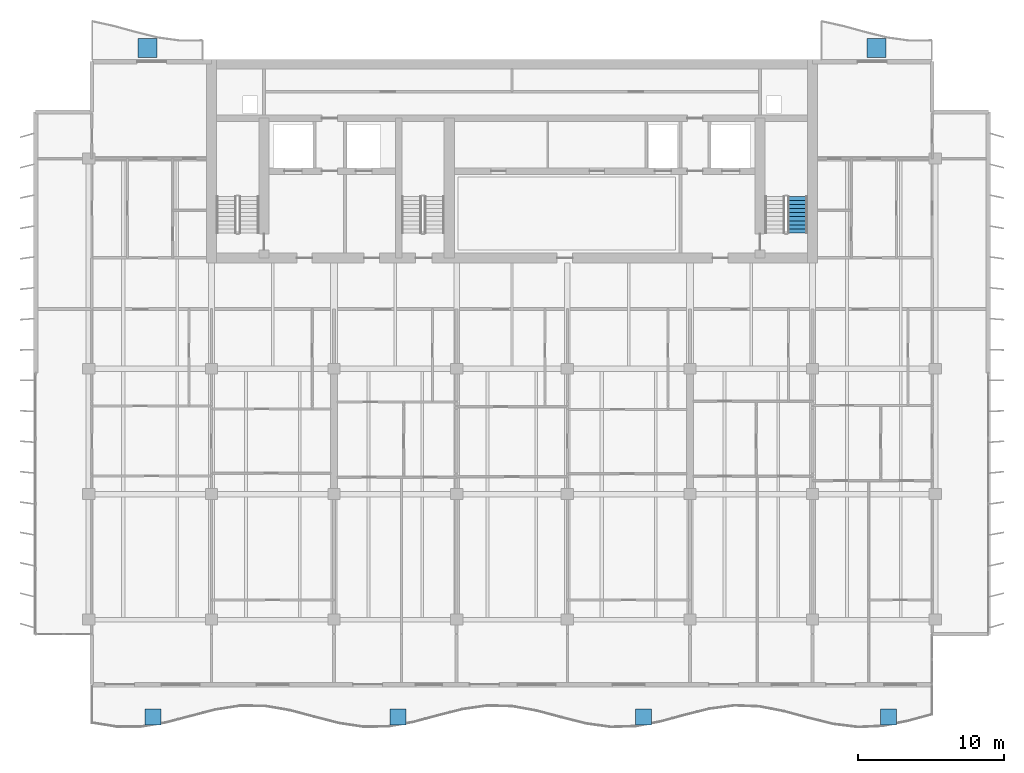
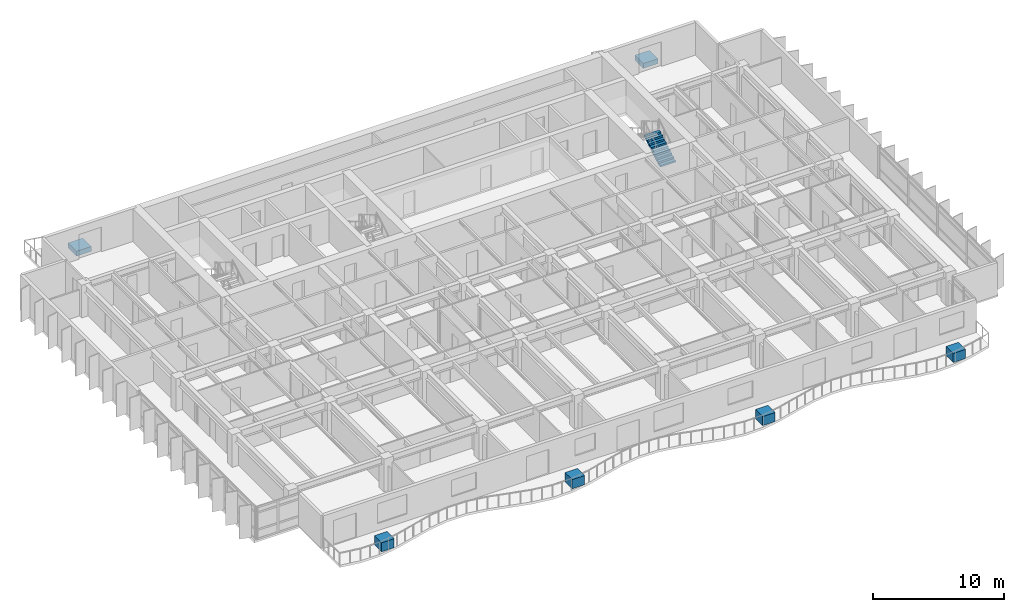
# One storey, part 15 of 19: 6 discrete accessories, 1 stair flight, 1 element without a shape of its own.
"""IFC4 building model written with IfcOpenShell, lengths in metres."""

from ifc_helpers import new_model, si_unit, direction, frame, origin, origin_2d, place, context, subcontext, project, spatial, polyline, rectangle, outline, extrude, material, type_object, element, aggregate, save


model = new_model("IFC4")

# Units and contexts
model_context = context("Model", 3, precision=1e-05, world=origin(), true_north=direction((0.0, 1.0)))
body_context = subcontext(model_context, "Body", "Model", "MODEL_VIEW")
ifc_project = project(units=[si_unit("LENGTHUNIT", "METRE"), si_unit("AREAUNIT", "SQUARE_METRE"), si_unit("VOLUMEUNIT", "CUBIC_METRE"), si_unit("PLANEANGLEUNIT", "RADIAN"), si_unit("MASSUNIT", "GRAM", prefix="KILO")], contexts=[model_context])

# Site, building, storey
site_placement = place(None, origin())
site = spatial("IfcSite", under=ifc_project, at=site_placement, CompositionType="ELEMENT")
building_placement = place(site_placement, origin())
building = spatial("IfcBuilding", under=site, at=building_placement, Name="Caelmar Bay Residences", CompositionType="ELEMENT")
storey_placement = place(building_placement, frame((0.0, 0.0, 195.0)))
storey = spatial("IfcBuildingStorey", under=building, at=storey_placement, Name="L54", CompositionType="ELEMENT", Elevation=195.0)

# Stair, stair flight
ifc_material_1 = material(Name="Concrete f'c 40 MPa (6,000 psi)", Category="concrete")
stair_type = type_object("IfcStairType", Name="ST-TYP-165", PredefinedType="HALF_TURN_STAIR", material=ifc_material_1)
stair_placement = place(storey_placement, origin())
stair = element("IfcStair", 1, at=stair_placement, inside=storey, type_object=stair_type, Name="L54 East Smokeproof Exit Stair ST2", PredefinedType="HALF_TURN_STAIR")
stair_flight_type = type_object("IfcStairFlightType", Name="STF-1350", PredefinedType="STRAIGHT", material=ifc_material_1)
stair_flight_placement = place(storey_placement, frame((58.47509765625, 38.699951171875, 0.0), z_axis=(0.0, 0.0, 1.0), x_axis=(0.0, 1.0, 0.0)))
stair_flight = element("IfcStairFlight", 2, at=stair_flight_placement, type_object=stair_flight_type, Name="ST2 flight 1", NumberOfRisers=10, NumberOfTreads=9, PredefinedType="STRAIGHT", RiserHeight=0.165, TreadLength=0.28, context=body_context, shape_type="SweptSolid", body=[
    extrude(outline(polyline([(0.0, 0.0), (0.0, 0.1650390625), (0.280029296875, 0.1650390625), (0.280029296875, 0.330078125), (0.56005859375, 0.330078125), (0.56005859375, 0.4951171875), (0.840087890625, 0.4951171875), (0.840087890625, 0.659912109375), (1.1201171875, 0.659912109375), (1.1201171875, 0.824951171875), (1.39990234375, 0.824951171875), (1.39990234375, 0.989990234375), (1.679931640625, 0.989990234375), (1.679931640625, 1.155029296875), (1.9599609375, 1.155029296875), (1.9599609375, 1.320068359375), (2.239990234375, 1.320068359375), (2.239990234375, 1.485107421875), (2.52001953125, 1.485107421875), (2.52001953125, 1.64990234375), (2.52001953125, 1.31103515625), (0.295166015625, 0.0), (0.0, 0.0)])), frame((0.0, 0.675048828125, 0.0), z_axis=(0.0, -1.0, 0.0), x_axis=(1.0, 0.0, 0.0)), (0.0, 0.0, 1.0), 1.35009765625),
])
aggregate(stair, [stair_flight])

# Discrete accessories
ifc_material_2 = material(Name="Architectural bronze GRC planter trough with volcanic-lapilli substrate")
discrete_accessory_type_1 = type_object("IfcDiscreteAccessoryType", Name="ACC-PLANTER-1100", PredefinedType="USERDEFINED", material=ifc_material_2)
for number, where, z_axis, x_axis, name in (
    (3, (14.300048828125, 5.543212890625, 0.0), (0.0, 0.0, 1.0), (1.0, 0.0, 0.0), "L54 Balcony Structural Tree Planter 1"),
    (4, (31.10009765625, 5.543212890625, 0.0), (0.0, 0.0, 1.0), (1.0, 0.0, 0.0), "L54 Balcony Structural Tree Planter 2"),
    (5, (47.89990234375, 5.543212890625, 0.0), (0.0, 0.0, 1.0), (1.0, 0.0, 0.0), "L54 Balcony Structural Tree Planter 3"),
    (6, (64.699951171875, 5.543212890625, 0.0), (0.0, 0.0, 1.0), (1.0, 0.0, 0.0), "L54 Balcony Structural Tree Planter 4"),
):
    element("IfcDiscreteAccessory", number, at=place(storey_placement, frame(where, z_axis=z_axis, x_axis=x_axis)), inside=storey, type_object=discrete_accessory_type_1, Name=name, ObjectType="PLANTER", PredefinedType="USERDEFINED", context=body_context, shape_type="SweptSolid", body=[
        extrude(rectangle(XDim=1.10009765625, YDim=1.10009765625, at=origin_2d()), origin(), (0.0, 0.0, 1.0), 0.85009765625),
    ])
ifc_material_3 = material(Name="Precast concrete f'c 40 MPa (6,000 psi)", Category="concrete")
discrete_accessory_type_2 = type_object("IfcDiscreteAccessoryType", Name="STR-PLANTER-KERB-450", PredefinedType="USERDEFINED", material=ifc_material_3)
for number, where, z_axis, x_axis, name in (
    (7, (13.89990234375, 51.39990234375, 0.0), (0.0, 0.0, 1.0), (1.0, 0.0, 0.0), "L54 north_west Structural Tree Planter Kerb"),
    (8, (63.89990234375, 51.39990234375, 0.0), (0.0, 0.0, 1.0), (1.0, 0.0, 0.0), "L54 north_east Structural Tree Planter Kerb"),
):
    element("IfcDiscreteAccessory", number, at=place(storey_placement, frame(where, z_axis=z_axis, x_axis=x_axis)), inside=storey, type_object=discrete_accessory_type_2, Name=name, ObjectType="PLANTER", PredefinedType="USERDEFINED", context=body_context, shape_type="SweptSolid", body=[
        extrude(rectangle(XDim=1.300048828125, YDim=1.300048828125, at=origin_2d()), origin(), (0.0, 0.0, 1.0), 0.449951171875),
    ])

save(model, "model.ifc")
